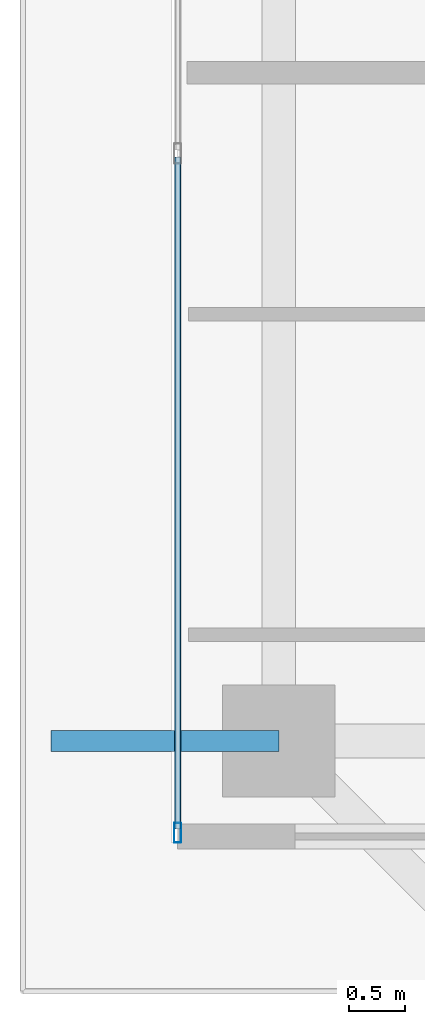
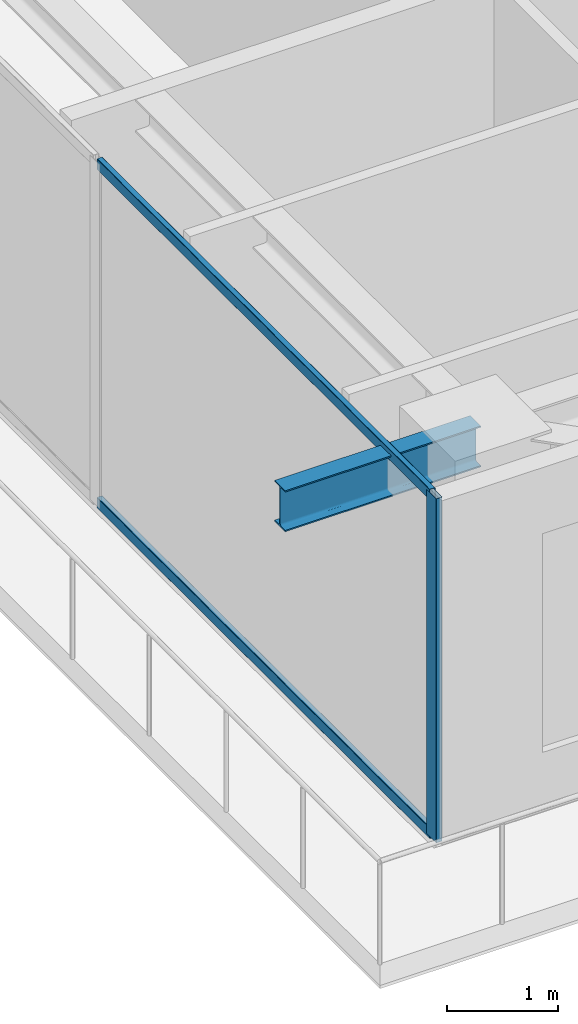
# One storey, part 4 of 42: 3 members, 1 beam, 1 element without a shape of its own.
"""IFC4 building model written with IfcOpenShell, lengths in metres."""

import ifcopenshell
import ifcopenshell.guid

model = None  # the IFC model being written
_history = None  # IfcOwnerHistory: only IFC2X3 demands one
_inside = {}  # id of a spatial element -> (the spatial element, [elements in it])
_under = {}  # id of a project, library or spatial element -> (it, [spatial elements below it])
_declared = {}  # id of a project -> (the project, [libraries it declares])
_typed = {}  # id of a type object -> (the type object, [elements of that type])
_made_of = {}  # id of a material, layer set ... -> (it, [elements and type objects made of it])


def new_model(schema):
    """Start an empty IFC model of exactly this schema.

    Asked for "IFC4X3", IfcOpenShell would pick the latest addendum, in which some entities
    have other attributes; the version numbers below select the first issue.
    IFC2X3 requires an IfcOwnerHistory on every rooted entity: one is made here for all.
    """
    global model, _history
    if schema == "IFC4X3":
        model = ifcopenshell.file(schema_version=(4, 3, 0, 0))
    else:
        model = ifcopenshell.file(schema=schema)
    _inside.clear()
    _under.clear()
    _declared.clear()
    _typed.clear()
    _made_of.clear()
    _history = None
    if model.schema == "IFC2X3":
        org = make("IfcOrganization", Name="unknown")
        user = make(
            "IfcPersonAndOrganization",
            ThePerson=make("IfcPerson", FamilyName="unknown"),
            TheOrganization=org,
        )
        app = make(
            "IfcApplication",
            ApplicationDeveloper=org,
            Version="unknown",
            ApplicationFullName="unknown",
            ApplicationIdentifier="unknown",
        )
        _history = make(
            "IfcOwnerHistory",
            OwningUser=user,
            OwningApplication=app,
            ChangeAction="ADDED",
            CreationDate=0,
        )
    return model


def make(cls, **values):
    """One entity of the class cls with the attributes given. An attribute that is None is left unset."""
    return model.create_entity(
        cls, **{name: value for name, value in values.items() if value is not None}
    )


def rooted(cls, **values):
    """An entity with a GlobalId (a new one), such as an element, a storey or a relation."""
    return make(cls, GlobalId=ifcopenshell.guid.new(), OwnerHistory=_history, **values)


def si_unit(unit_type, name, prefix=None):
    """IfcSIUnit, for example si_unit("LENGTHUNIT", "METRE", prefix="MILLI")."""
    return make("IfcSIUnit", UnitType=unit_type, Prefix=prefix, Name=name)


def assignment(units):
    """IfcUnitAssignment: the units of a project."""
    return None if units is None else make("IfcUnitAssignment", Units=units)


def point(xyz):
    """IfcCartesianPoint."""
    return None if xyz is None else make("IfcCartesianPoint", Coordinates=xyz)


def direction(xyz):
    """IfcDirection."""
    return None if xyz is None else make("IfcDirection", DirectionRatios=xyz)


def frame(location, z_axis=None, x_axis=None):
    """IfcAxis2Placement3D, a coordinate frame: its origin and axes. An axis left out is left unset."""
    return make(
        "IfcAxis2Placement3D",
        Location=point(location),
        Axis=direction(z_axis),
        RefDirection=direction(x_axis),
    )


def frame_2d(location, x_axis=None):
    """IfcAxis2Placement2D, a coordinate frame in the plane: its origin and x axis."""
    return make(
        "IfcAxis2Placement2D", Location=point(location), RefDirection=direction(x_axis)
    )


def origin():
    """The frame at (0, 0, 0) with its axes left unset."""
    return frame((0.0, 0.0, 0.0))


def origin_2d():
    """The frame at (0, 0) in the plane with its x axis left unset."""
    return frame_2d((0.0, 0.0))


def place(relative_to, where):
    """IfcLocalPlacement: puts the frame where relative to a parent placement (None: the world)."""
    return make(
        "IfcLocalPlacement", PlacementRelTo=relative_to, RelativePlacement=where
    )


def context(
    kind, dimensions, precision=None, world=None, true_north=None, identifier=None
):
    """IfcGeometricRepresentationContext, for example the 3D "Model" context."""
    return make(
        "IfcGeometricRepresentationContext",
        ContextIdentifier=identifier,
        ContextType=kind,
        CoordinateSpaceDimension=dimensions,
        Precision=precision,
        WorldCoordinateSystem=world,
        TrueNorth=true_north,
    )


def subcontext(parent, identifier, kind, view, scale=None):
    """IfcGeometricRepresentationSubContext, for example "Body" below "Model"."""
    return make(
        "IfcGeometricRepresentationSubContext",
        ContextIdentifier=identifier,
        ContextType=kind,
        ParentContext=parent,
        TargetScale=scale,
        TargetView=view,
    )


def project(units=None, contexts=None):
    """IfcProject with its units and contexts."""
    return rooted(
        "IfcProject",
        Name="project",
        RepresentationContexts=contexts,
        UnitsInContext=assignment(units),
    )


def spatial(cls, under=None, at=None, **own):
    """A site, building, storey or space (cls), placed at a placement, below another one or the project."""
    s = rooted(cls, ObjectPlacement=at, **own)
    if under is not None:
        _under.setdefault(under.id(), (under, []))[1].append(s)
    return s


def profile(cls, at=None, kind="AREA", **sizes):
    """A parametric profile (cls). Its sizes go by their IFC names, for example OverallWidth=200.0."""
    return make(cls, ProfileType=kind, Position=at, **sizes)


def hollow_rectangle(**sizes):
    """IfcRectangleHollowProfileDef."""
    return profile("IfcRectangleHollowProfileDef", **sizes)


def i_section(**sizes):
    """IfcIShapeProfileDef."""
    return profile("IfcIShapeProfileDef", **sizes)


def extrude(swept, where, along, depth):
    """IfcExtrudedAreaSolid: the profile swept, set in the frame where, extruded along a direction by depth."""
    return make(
        "IfcExtrudedAreaSolid",
        SweptArea=swept,
        Position=where,
        ExtrudedDirection=direction(along),
        Depth=depth,
    )


def shape(context_of_items, identifier, shape_type, items):
    """IfcShapeRepresentation: the items that make up one representation, for example the "Body"."""
    return make(
        "IfcShapeRepresentation",
        ContextOfItems=context_of_items,
        RepresentationIdentifier=identifier,
        RepresentationType=shape_type,
        Items=items,
    )


def source(mapping_origin, context_of_items, identifier, shape_type, items):
    """IfcRepresentationMap: a shape defined once, which mapped items show again and again."""
    return make(
        "IfcRepresentationMap",
        MappingOrigin=mapping_origin,
        MappedRepresentation=shape(context_of_items, identifier, shape_type, items),
    )


def transform(
    local_origin,
    x_axis=None,
    y_axis=None,
    z_axis=None,
    scale=None,
    scale2=None,
    scale3=None,
    uniform=True,
):
    """IfcCartesianTransformationOperator3D, or its non-uniform kind. x_axis, y_axis, z_axis: its Axis1, 2, 3."""
    if uniform:
        return make(
            "IfcCartesianTransformationOperator3D",
            Axis1=direction(x_axis),
            Axis2=direction(y_axis),
            LocalOrigin=point(local_origin),
            Scale=scale,
            Axis3=direction(z_axis),
        )
    return make(
        "IfcCartesianTransformationOperator3DnonUniform",
        Axis1=direction(x_axis),
        Axis2=direction(y_axis),
        LocalOrigin=point(local_origin),
        Scale=scale,
        Axis3=direction(z_axis),
        Scale2=scale2,
        Scale3=scale3,
    )


def mapped(mapping_source, mapping_target):
    """IfcMappedItem: shows the shape of a source again, moved by a transform."""
    return make(
        "IfcMappedItem", MappingSource=mapping_source, MappingTarget=mapping_target
    )


def material(Name=None, Category=None):
    """IfcMaterial."""
    return make("IfcMaterial", Name=Name, Category=Category)


def layer(
    of_material, thickness, ventilated=None, Name=None, Category=None, Priority=None
):
    """IfcMaterialLayer: one layer of a wall or slab, of a material (None: an air gap)."""
    return make(
        "IfcMaterialLayer",
        Material=of_material,
        LayerThickness=thickness,
        IsVentilated=ventilated,
        Name=Name,
        Category=Category,
        Priority=Priority,
    )


def layer_set(layers, Name=None):
    """IfcMaterialLayerSet."""
    return make("IfcMaterialLayerSet", MaterialLayers=layers, LayerSetName=Name)


def material_profile(
    of_material, cross_section, Name=None, Category=None, Priority=None
):
    """IfcMaterialProfile: a cross section and its material."""
    return make(
        "IfcMaterialProfile",
        Name=Name,
        Material=of_material,
        Profile=cross_section,
        Priority=Priority,
        Category=Category,
    )


def profile_set(profiles, Name=None, composite=None):
    """IfcMaterialProfileSet."""
    return make(
        "IfcMaterialProfileSet",
        Name=Name,
        MaterialProfiles=profiles,
        CompositeProfile=composite,
    )


def made_of(thing, what):
    """Note that an element or type object is made of a material, layer set ...; save() writes the relation."""
    if what is not None:
        _made_of.setdefault(what.id(), (what, []))[1].append(thing)
    return thing


def type_object(cls, material=None, **own):
    """A type object (cls), such as IfcWallType, which elements share."""
    return made_of(rooted(cls, **own), material)


def element(
    cls,
    number,
    at=None,
    inside=None,
    cuts=None,
    type_object=None,
    material=None,
    context=None,
    identifier="Body",
    shape_type=None,
    held_by="IfcProductDefinitionShape",
    body=None,
    shapes=None,
    **own,
):
    """One element of the class cls, such as IfcWall. Its Tag is "e" and its number.

    at: its placement. inside: the storey or other place that contains it. cuts: it is an
    opening in that element (IfcRelVoidsElement). A single representation is given by context,
    identifier, shape_type and body (its items); several are given by shapes. held_by: the class
    of the entity that holds the representations. save() writes the other relations.
    """
    e = rooted(cls, Tag="e%d" % number, ObjectPlacement=at, **own)
    if body is not None:
        shapes = [shape(context, identifier, shape_type, body)]
    if shapes is not None:
        e.Representation = make(held_by, Representations=shapes)
    if inside is not None:
        _inside.setdefault(inside.id(), (inside, []))[1].append(e)
    if cuts is not None:
        rooted(
            "IfcRelVoidsElement", RelatingBuildingElement=cuts, RelatedOpeningElement=e
        )
    if type_object is not None:
        _typed.setdefault(type_object.id(), (type_object, []))[1].append(e)
    return made_of(e, material)


def aggregate(whole, parts):
    """IfcRelAggregates: a whole, such as a stair, and the parts it consists of."""
    return rooted("IfcRelAggregates", RelatingObject=whole, RelatedObjects=parts)


def save(model, path):
    """Write the relations noted so far, then the file.

    IfcRelAggregates (storeys below a building ...), IfcRelContainedInSpatialStructure (elements
    in a storey), IfcRelDefinesByType, IfcRelAssociatesMaterial and IfcRelDeclares: one each for
    every whole, place, type object, material and project.
    """
    for whole, parts in _under.values():
        aggregate(whole, parts)
    for where, things in _inside.values():
        rooted(
            "IfcRelContainedInSpatialStructure",
            RelatedElements=things,
            RelatingStructure=where,
        )
    for kind, things in _typed.values():
        rooted("IfcRelDefinesByType", RelatedObjects=things, RelatingType=kind)
    for what, things in _made_of.values():
        rooted("IfcRelAssociatesMaterial", RelatedObjects=things, RelatingMaterial=what)
    for by, libraries in _declared.values():
        rooted("IfcRelDeclares", RelatingContext=by, RelatedDefinitions=libraries)
    model.write(path)


model = new_model("IFC4")

# Units and contexts
model_context = context("Model", 3, precision=1e-05, world=origin(), true_north=direction((0.0, 1.0)))
body_context = subcontext(model_context, "Body", "Model", "MODEL_VIEW")
ifc_project = project(units=[si_unit("LENGTHUNIT", "METRE"), si_unit("AREAUNIT", "SQUARE_METRE"), si_unit("VOLUMEUNIT", "CUBIC_METRE"), si_unit("PLANEANGLEUNIT", "RADIAN"), si_unit("MASSUNIT", "GRAM", prefix="KILO")], contexts=[model_context])

# Site, building, storey
site_placement = place(None, origin())
site = spatial("IfcSite", under=ifc_project, at=site_placement, CompositionType="ELEMENT")
building_placement = place(site_placement, origin())
building = spatial("IfcBuilding", under=site, at=building_placement, Name="Serunith Strait Residences", CompositionType="ELEMENT")
storey_placement = place(building_placement, frame((0.0, 0.0, 293.449951171875)))
storey = spatial("IfcBuildingStorey", under=building, at=storey_placement, Name="L73", CompositionType="ELEMENT", Elevation=293.449951171875)

# Beam
ifc_material_1 = material(Name="Steel S355J2", Category="steel")
ifc_material_profile_1 = material_profile(ifc_material_1, i_section(OverallWidth=0.18994140625, OverallDepth=0.449951171875, WebThickness=0.009521484375, FlangeThickness=0.0146484375, FilletRadius=0.02099609375, at=origin_2d()), Name="IPE 450")
ifc_profile_set_1 = profile_set([ifc_material_profile_1], Name="Steel S355J2")
beam_type = type_object("IfcBeamType", Name="BM-IPE450", PredefinedType="JOIST", material=ifc_profile_set_1)
shared_shape_1 = source(origin(), body_context, "Body", "SweptSolid", [
    extrude(i_section(OverallWidth=0.18994140625, OverallDepth=0.449951171875, WebThickness=0.009521484375, FlangeThickness=0.0146484375, FilletRadius=0.02099609375, at=origin_2d()), origin(), (0.0, 0.0, 1.0), 2.030029296875),
])
beam_placement = place(storey_placement, frame((10.10009765625, 10.85009765625, 3.531982421875), z_axis=(-1.0, 0.0, 0.0), x_axis=(0.0, -1.0, 0.0)))
element("IfcBeam", 1, at=beam_placement, inside=storey, type_object=beam_type, Name="L74 Cantilevered Balcony Rib TC-W1", PredefinedType="JOIST", context=body_context, shape_type="MappedRepresentation", body=[
    mapped(shared_shape_1, transform((0.0, 0.0, 0.0), scale=1.0)),
])

# Curtain wall, members
ifc_material_2 = material(Name="Brushed Stainless-Silver Aluminium", Category="aluminium")
ifc_layer = layer(ifc_material_2, 0.199951171875, Name="Brushed Stainless-Silver Aluminium")
ifc_layer_set = layer_set([ifc_layer], Name="Brushed Stainless-Silver Aluminium")
curtain_wall_type = type_object("IfcCurtainWallType", Name="CW-SYS5", PredefinedType="NOTDEFINED", material=ifc_layer_set)
curtain_wall_placement = place(storey_placement, origin())
curtain_wall = element("IfcCurtainWall", 2, at=curtain_wall_placement, inside=storey, type_object=curtain_wall_type, Name="L73 W Unitised Fritted Curtain Wall", PredefinedType="NOTDEFINED")
ifc_material_profile_2 = material_profile(ifc_material_2, hollow_rectangle(XDim=0.06494140625, YDim=0.179931640625, WallThickness=0.00341796875, InnerFilletRadius=0.00537109375, OuterFilletRadius=0.0087890625, at=origin_2d()), Name="ALU 180x65x3.5")
ifc_profile_set_2 = profile_set([ifc_material_profile_2], Name="Brushed Stainless-Silver Aluminium")
member_type_1 = type_object("IfcMemberType", Name="CW-SYS5-MULL", PredefinedType="MULLION", material=ifc_profile_set_2)
shared_shape_2 = source(origin(), body_context, "Body", "SweptSolid", [
    extrude(hollow_rectangle(XDim=0.06494140625, YDim=0.179931640625, WallThickness=0.00341796875, InnerFilletRadius=0.00537109375, OuterFilletRadius=0.0087890625, at=origin_2d()), origin(), (0.0, 0.0, 1.0), 3.775146484375),
])
member_1_placement = place(storey_placement, frame((9.199951171875, 10.032470703125, 0.0), z_axis=(0.0, 0.0, 1.0), x_axis=(1.0, 0.0, 0.0)))
member_1 = element("IfcMember", 3, at=member_1_placement, type_object=member_type_1, Name="CW-5 mullion 6", PredefinedType="MULLION", context=body_context, shape_type="MappedRepresentation", body=[
    mapped(shared_shape_2, transform((0.0, 0.0, 0.0), scale=1.0)),
])
ifc_material_profile_3 = material_profile(ifc_material_2, hollow_rectangle(XDim=0.06005859375, YDim=0.1201171875, WallThickness=0.00341796875, InnerFilletRadius=0.00537109375, OuterFilletRadius=0.0087890625, at=origin_2d()), Name="ALU 120x60x3.5")
ifc_profile_set_3 = profile_set([ifc_material_profile_3], Name="Brushed Stainless-Silver Aluminium")
member_type_2 = type_object("IfcMemberType", Name="CW-SYS5-TRAN", PredefinedType="USERDEFINED", material=ifc_profile_set_3)
shared_shape_3 = source(origin(), body_context, "Body", "SweptSolid", [
    extrude(hollow_rectangle(XDim=0.06005859375, YDim=0.1201171875, WallThickness=0.00341796875, InnerFilletRadius=0.00537109375, OuterFilletRadius=0.0087890625, at=origin_2d()), origin(), (0.0, 0.0, 1.0), 5.982666015625),
])
member_2_placement = place(storey_placement, frame((9.199951171875, 16.047607421875, 0.030029296875), z_axis=(0.0, -1.0, 0.0), x_axis=(1.0, 0.0, 0.0)))
member_2 = element("IfcMember", 4, at=member_2_placement, type_object=member_type_2, Name="CW-5 transom 5.1", ObjectType="TRANSOM", PredefinedType="USERDEFINED", context=body_context, shape_type="MappedRepresentation", body=[
    mapped(shared_shape_3, transform((0.0, 0.0, 0.0), scale=1.0)),
])
member_3_placement = place(storey_placement, frame((9.199951171875, 16.047607421875, 3.7451171875), z_axis=(0.0, -1.0, 0.0), x_axis=(1.0, 0.0, 0.0)))
member_3 = element("IfcMember", 5, at=member_3_placement, type_object=member_type_2, Name="CW-5 transom 5.2", ObjectType="TRANSOM", PredefinedType="USERDEFINED", context=body_context, shape_type="MappedRepresentation", body=[
    mapped(shared_shape_3, transform((0.0, 0.0, 0.0), scale=1.0)),
])
aggregate(curtain_wall, [member_1, member_2, member_3])

save(model, "model.ifc")
